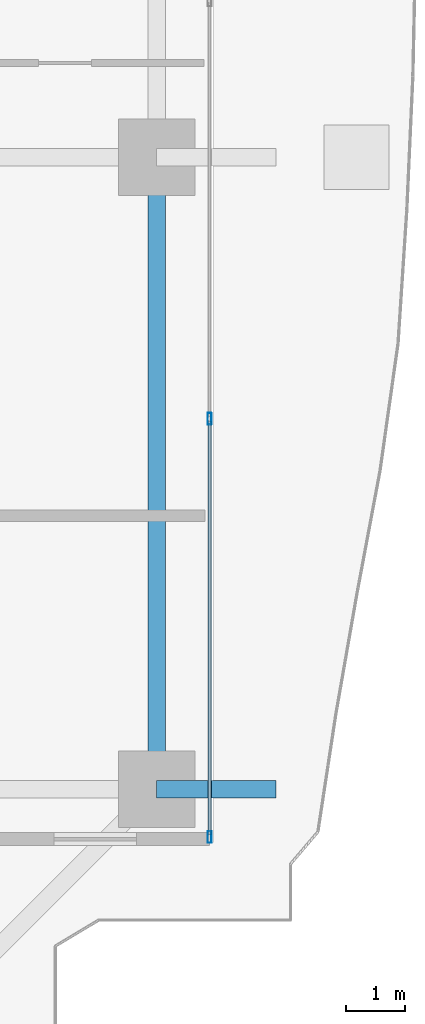
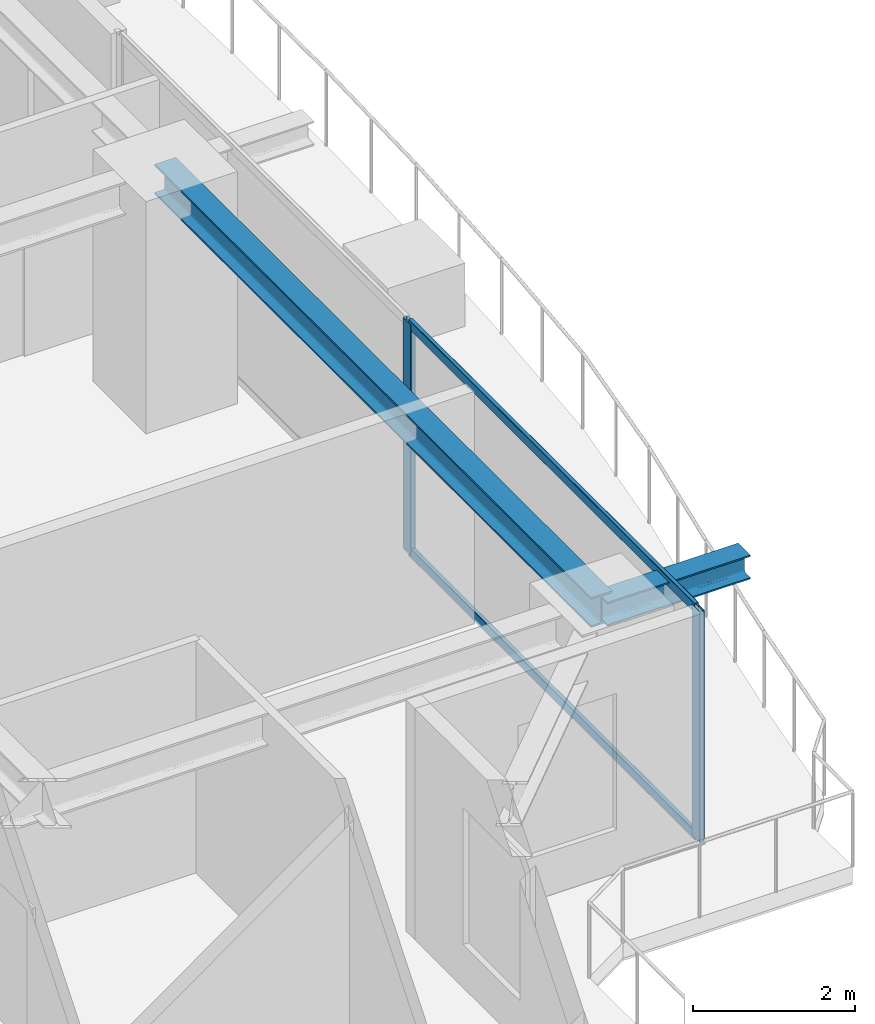
# One storey, part 12 of 34: 4 members, 2 beams, 1 element without a shape of its own.
"""IFC4 building model written with IfcOpenShell, lengths in metres."""

from ifc_helpers import new_model, si_unit, direction, frame, origin, origin_2d, place, context, subcontext, project, spatial, hollow_rectangle, i_section, extrude, source, transform, mapped, material, layer, layer_set, material_profile, profile_set, type_object, element, aggregate, save


model = new_model("IFC4")

# Units and contexts
model_context = context("Model", 3, precision=1e-05, world=origin(), true_north=direction((0.0, 1.0)))
body_context = subcontext(model_context, "Body", "Model", "MODEL_VIEW")
ifc_project = project(units=[si_unit("LENGTHUNIT", "METRE"), si_unit("AREAUNIT", "SQUARE_METRE"), si_unit("VOLUMEUNIT", "CUBIC_METRE"), si_unit("PLANEANGLEUNIT", "RADIAN"), si_unit("MASSUNIT", "GRAM", prefix="KILO")], contexts=[model_context])

# Site, building, storey
site_placement = place(None, origin())
site = spatial("IfcSite", under=ifc_project, at=site_placement, CompositionType="ELEMENT")
building_placement = place(site_placement, origin())
building = spatial("IfcBuilding", under=site, at=building_placement, Name="Serunith Strait Residences", CompositionType="ELEMENT")
storey_placement = place(building_placement, frame((0.0, 0.0, 135.14990234375)))
storey = spatial("IfcBuildingStorey", under=building, at=storey_placement, Name="L33", CompositionType="ELEMENT", Elevation=135.14990234375)

# Beams
ifc_material_1 = material(Name="Steel S355J2", Category="steel")
ifc_material_profile_1 = material_profile(ifc_material_1, i_section(OverallWidth=0.300048828125, OverallDepth=0.449951171875, WebThickness=0.013916015625, FlangeThickness=0.02587890625, FilletRadius=0.027099609375, at=origin_2d()), Name="HEB 450")
ifc_profile_set_1 = profile_set([ifc_material_profile_1], Name="Steel S355J2")
beam_type_1 = type_object("IfcBeamType", Name="BM-HEB450", PredefinedType="BEAM", material=ifc_profile_set_1)
shared_shape_1 = source(origin(), body_context, "Body", "SweptSolid", [
    extrude(i_section(OverallWidth=0.300048828125, OverallDepth=0.449951171875, WebThickness=0.013916015625, FlangeThickness=0.02587890625, FilletRadius=0.027099609375, at=origin_2d()), origin(), (0.0, 0.0, 1.0), 10.75),
])
beam_1_placement = place(storey_placement, frame((56.10009765625, 10.25, 3.26220703125), z_axis=(0.0, 1.0, 0.0), x_axis=(-1.0, 0.0, 0.0)))
element("IfcBeam", 1, at=beam_1_placement, inside=storey, type_object=beam_type_1, Name="L33 Perimeter Ring Beam 05", PredefinedType="BEAM", context=body_context, shape_type="MappedRepresentation", body=[
    mapped(shared_shape_1, transform((0.0, 0.0, 0.0), scale=1.0)),
])
ifc_material_profile_2 = material_profile(ifc_material_1, i_section(OverallWidth=0.300048828125, OverallDepth=0.360107421875, WebThickness=0.012451171875, FlangeThickness=0.0224609375, FilletRadius=0.027099609375, at=origin_2d()), Name="HEB 360")
ifc_profile_set_2 = profile_set([ifc_material_profile_2], Name="Steel S355J2")
beam_type_2 = type_object("IfcBeamType", Name="BM-HEB360", PredefinedType="BEAM", material=ifc_profile_set_2)
shared_shape_2 = source(origin(), body_context, "Body", "SweptSolid", [
    extrude(i_section(OverallWidth=0.300048828125, OverallDepth=0.360107421875, WebThickness=0.012451171875, FlangeThickness=0.0224609375, FilletRadius=0.027099609375, at=origin_2d()), origin(), (0.0, 0.0, 1.0), 2.02978515625),
])
beam_2_placement = place(storey_placement, frame((56.10009765625, 10.25, 3.277099609375), z_axis=(1.0, 0.0, 0.0), x_axis=(0.0, 1.0, 0.0)))
element("IfcBeam", 2, at=beam_2_placement, inside=storey, type_object=beam_type_2, Name="L34 Cantilevered Balcony Rib TC-E1", PredefinedType="BEAM", context=body_context, shape_type="MappedRepresentation", body=[
    mapped(shared_shape_2, transform((0.0, 0.0, 0.0), scale=1.0)),
])

# Curtain wall, members
ifc_material_2 = material(Name="Pale-Champagne Anodised Aluminium", Category="aluminium")
ifc_layer = layer(ifc_material_2, 0.199951171875, Name="Pale-Champagne Anodised Aluminium")
ifc_layer_set = layer_set([ifc_layer], Name="Pale-Champagne Anodised Aluminium")
curtain_wall_type = type_object("IfcCurtainWallType", Name="CW-SYS2", PredefinedType="NOTDEFINED", material=ifc_layer_set)
curtain_wall_placement = place(storey_placement, origin())
curtain_wall = element("IfcCurtainWall", 3, at=curtain_wall_placement, inside=storey, type_object=curtain_wall_type, Name="L33 E Unitised Fritted Curtain Wall", PredefinedType="NOTDEFINED")
ifc_material_profile_3 = material_profile(ifc_material_2, hollow_rectangle(XDim=0.070068359375, YDim=0.199951171875, WallThickness=0.00390625, InnerFilletRadius=0.006103515625, OuterFilletRadius=0.010009765625, at=origin_2d()), Name="ALU 200x70x4")
ifc_profile_set_3 = profile_set([ifc_material_profile_3], Name="Pale-Champagne Anodised Aluminium")
member_type_1 = type_object("IfcMemberType", Name="CW-SYS2-MULL", PredefinedType="MULLION", material=ifc_profile_set_3)
shared_shape_3 = source(origin(), body_context, "Body", "SweptSolid", [
    extrude(hollow_rectangle(XDim=0.070068359375, YDim=0.199951171875, WallThickness=0.00390625, InnerFilletRadius=0.006103515625, OuterFilletRadius=0.010009765625, at=origin_2d()), origin(), (0.0, 0.0, 1.0), 3.47509765625),
])
member_1_placement = place(storey_placement, frame((57.0, 9.43505859375, 0.0), z_axis=(0.0, 0.0, 1.0), x_axis=(-1.0, 0.0, 0.0)))
member_1 = element("IfcMember", 4, at=member_1_placement, type_object=member_type_1, Name="CW-2 mullion 1", PredefinedType="MULLION", context=body_context, shape_type="MappedRepresentation", body=[
    mapped(shared_shape_3, transform((0.0, 0.0, 0.0), scale=1.0)),
])
member_2_placement = place(storey_placement, frame((57.0, 16.550048828125, 0.0), z_axis=(0.0, 0.0, 1.0), x_axis=(-1.0, 0.0, 0.0)))
member_2 = element("IfcMember", 5, at=member_2_placement, type_object=member_type_1, Name="CW-2 mullion 2", PredefinedType="MULLION", context=body_context, shape_type="MappedRepresentation", body=[
    mapped(shared_shape_3, transform((0.0, 0.0, 0.0), scale=1.0)),
])
ifc_material_profile_4 = material_profile(ifc_material_2, hollow_rectangle(XDim=0.06005859375, YDim=0.139892578125, WallThickness=0.00341796875, InnerFilletRadius=0.00537109375, OuterFilletRadius=0.0087890625, at=origin_2d()), Name="ALU 140x60x3.5")
ifc_profile_set_4 = profile_set([ifc_material_profile_4], Name="Pale-Champagne Anodised Aluminium")
member_type_2 = type_object("IfcMemberType", Name="CW-SYS2-TRAN", PredefinedType="USERDEFINED", material=ifc_profile_set_4)
shared_shape_4 = source(origin(), body_context, "Body", "SweptSolid", [
    extrude(hollow_rectangle(XDim=0.06005859375, YDim=0.139892578125, WallThickness=0.00341796875, InnerFilletRadius=0.00537109375, OuterFilletRadius=0.0087890625, at=origin_2d()), origin(), (0.0, 0.0, 1.0), 7.044921875),
])
member_3_placement = place(storey_placement, frame((57.0, 9.469970703125, 0.030029296875), z_axis=(0.0, 1.0, 0.0), x_axis=(-1.0, 0.0, 0.0)))
member_3 = element("IfcMember", 6, at=member_3_placement, type_object=member_type_2, Name="CW-2 transom 1.1", ObjectType="TRANSOM", PredefinedType="USERDEFINED", context=body_context, shape_type="MappedRepresentation", body=[
    mapped(shared_shape_4, transform((0.0, 0.0, 0.0), scale=1.0)),
])
member_4_placement = place(storey_placement, frame((57.0, 9.469970703125, 3.445068359375), z_axis=(0.0, 1.0, 0.0), x_axis=(-1.0, 0.0, 0.0)))
member_4 = element("IfcMember", 7, at=member_4_placement, type_object=member_type_2, Name="CW-2 transom 1.2", ObjectType="TRANSOM", PredefinedType="USERDEFINED", context=body_context, shape_type="MappedRepresentation", body=[
    mapped(shared_shape_4, transform((0.0, 0.0, 0.0), scale=1.0)),
])
aggregate(curtain_wall, [member_1, member_2, member_3, member_4])

save(model, "model.ifc")
